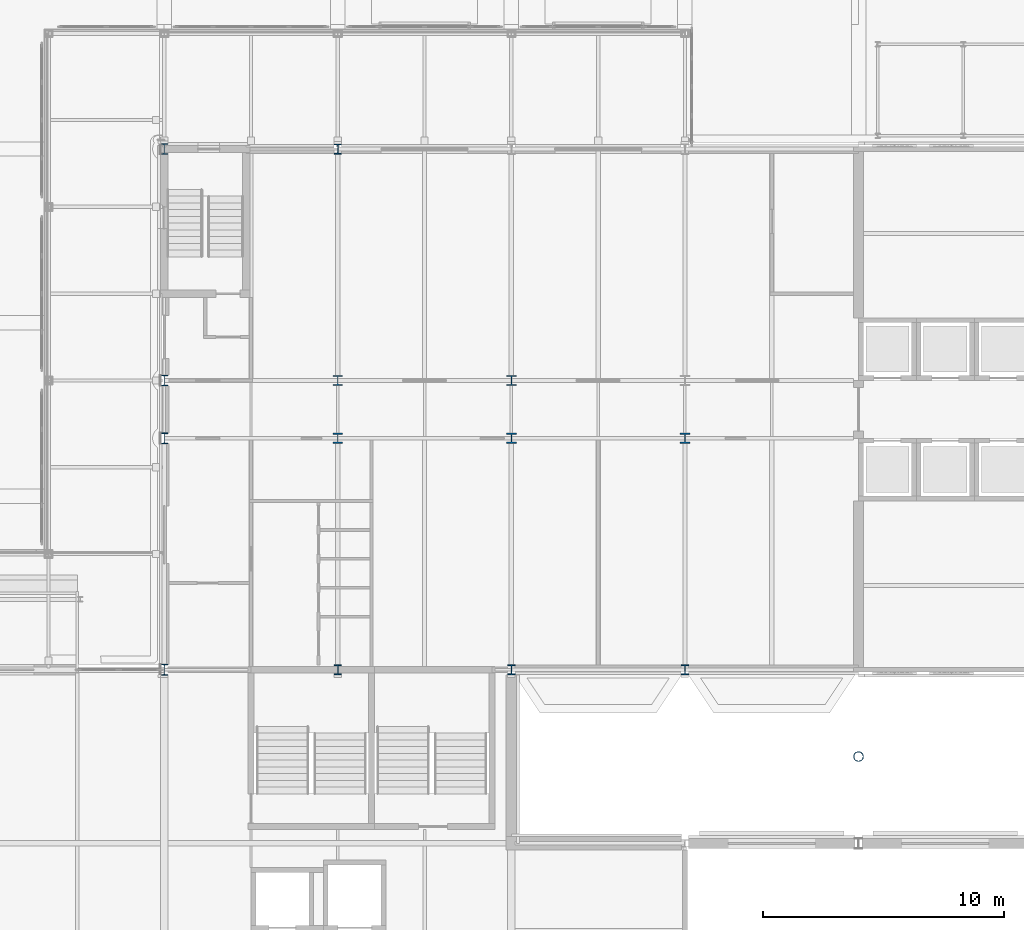
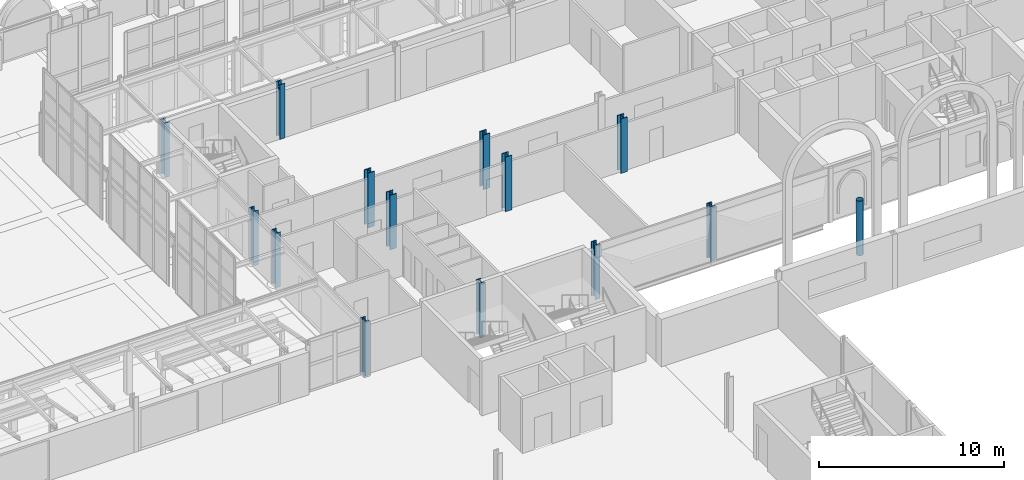
# One storey, part 14 of 143: 14 columns.
"""IFC4 building model written with IfcOpenShell, lengths in metres."""

from ifc_helpers import new_model, si_unit, direction, frame, origin, origin_2d, place, context, subcontext, project, spatial, hollow_circle, i_section, extrude, material, material_profile, profile_set, type_object, element, save


model = new_model("IFC4")

# Units and contexts
model_context = context("Model", 3, precision=1e-05, world=origin(), true_north=direction((0.0, 1.0)))
body_context = subcontext(model_context, "Body", "Model", "MODEL_VIEW")
ifc_project = project(units=[si_unit("LENGTHUNIT", "METRE"), si_unit("AREAUNIT", "SQUARE_METRE"), si_unit("VOLUMEUNIT", "CUBIC_METRE"), si_unit("PLANEANGLEUNIT", "RADIAN"), si_unit("MASSUNIT", "GRAM", prefix="KILO")], contexts=[model_context])

# Site, building, storey
site_placement = place(None, origin())
site = spatial("IfcSite", under=ifc_project, at=site_placement, CompositionType="ELEMENT")
building_placement = place(site_placement, origin())
building = spatial("IfcBuilding", under=site, at=building_placement, Name="Kupolbacken Congress Centre", CompositionType="ELEMENT")
storey_placement = place(building_placement, frame((0.0, 0.0, 7.199951171875)))
storey = spatial("IfcBuildingStorey", under=building, at=storey_placement, Name="L02", CompositionType="ELEMENT", Elevation=7.199951171875)

# Columns
ifc_material_1 = material(Name="Steel S355", Category="steel")
ifc_material_profile_1 = material_profile(ifc_material_1, i_section(OverallWidth=0.408935546875, OverallDepth=0.425048828125, WebThickness=0.03271484375, FlangeThickness=0.052490234375, FilletRadius=0.014892578125, at=origin_2d()), Name="HD 400 x 421")
ifc_profile_set_1 = profile_set([ifc_material_profile_1], Name="Steel S355")
column_type_1 = type_object("IfcColumnType", Name="C01 column HD 400 x 421", PredefinedType="COLUMN", material=ifc_profile_set_1)
for number, where, z_axis, x_axis, name in (
    (1, (72.0, 132.0, 0.0), (0.0, 0.0, 1.0), (1.0, 0.0, 0.0), "S/col/C-T-11U+2400/L02"),
    (2, (72.0, 134.39990234375, 0.0), (0.0, 0.0, 1.0), (1.0, 0.0, 0.0), "S/col/C-T-11U+4800/L02"),
    (3, (79.199951171875, 132.0, 0.0), (0.0, 0.0, 1.0), (1.0, 0.0, 0.0), "S/col/C-T-12U+2400/L02"),
    (4, (79.199951171875, 134.39990234375, 0.0), (0.0, 0.0, 1.0), (1.0, 0.0, 0.0), "S/col/C-T-12U+4800/L02"),
    (5, (86.39990234375, 132.0, 0.0), (0.0, 0.0, 1.0), (1.0, 0.0, 0.0), "S/col/C-T-13U+2400/L02"),
):
    element("IfcColumn", number, at=place(storey_placement, frame(where, z_axis=z_axis, x_axis=x_axis)), inside=storey, type_object=column_type_1, Name=name, PredefinedType="COLUMN", context=body_context, shape_type="SweptSolid", body=[
        extrude(i_section(OverallWidth=0.408935546875, OverallDepth=0.425048828125, WebThickness=0.03271484375, FlangeThickness=0.052490234375, FilletRadius=0.014892578125, at=origin_2d()), origin(), (0.0, 0.0, 1.0), 3.60009765625),
    ])
ifc_material_2 = material(Name="Steel S355", Category="steel")
ifc_material_profile_2 = material_profile(ifc_material_2, i_section(OverallWidth=0.306884765625, OverallDepth=0.431884765625, WebThickness=0.02099609375, FlangeThickness=0.0400390625, FilletRadius=0.027099609375, at=origin_2d()), Name="HEM 400")
ifc_profile_set_2 = profile_set([ifc_material_profile_2], Name="Steel S355")
column_type_2 = type_object("IfcColumnType", Name="C02 column HEM 400", PredefinedType="COLUMN", material=ifc_profile_set_2)
for number, where, z_axis, x_axis, name in (
    (6, (72.0, 122.39990234375, 0.0), (0.0, 0.0, 1.0), (1.0, 0.0, 0.0), "S/col/C-T-11T/L02"),
    (7, (72.0, 144.0, 0.0), (0.0, 0.0, 1.0), (1.0, 0.0, 0.0), "S/col/C-T-11W/L02"),
    (8, (79.199951171875, 122.39990234375, 0.0), (0.0, 0.0, 1.0), (1.0, 0.0, 0.0), "S/col/C-T-12T/L02"),
    (9, (86.39990234375, 122.39990234375, 0.0), (0.0, 0.0, 1.0), (1.0, 0.0, 0.0), "S/col/C-T-13T/L02"),
):
    element("IfcColumn", number, at=place(storey_placement, frame(where, z_axis=z_axis, x_axis=x_axis)), inside=storey, type_object=column_type_2, Name=name, PredefinedType="COLUMN", context=body_context, shape_type="SweptSolid", body=[
        extrude(i_section(OverallWidth=0.306884765625, OverallDepth=0.431884765625, WebThickness=0.02099609375, FlangeThickness=0.0400390625, FilletRadius=0.027099609375, at=origin_2d()), origin(), (0.0, 0.0, 1.0), 3.60009765625),
    ])
ifc_material_3 = material(Name="Steel S355", Category="steel")
ifc_material_profile_3 = material_profile(ifc_material_3, i_section(OverallWidth=0.300048828125, OverallDepth=0.449951171875, WebThickness=0.013916015625, FlangeThickness=0.02587890625, FilletRadius=0.027099609375, at=origin_2d()), Name="HEB 450")
ifc_profile_set_3 = profile_set([ifc_material_profile_3], Name="Steel S355")
column_type_3 = type_object("IfcColumnType", Name="C03 column HEB 450", PredefinedType="COLUMN", material=ifc_profile_set_3)
for number, where, z_axis, x_axis, name in (
    (10, (64.800048828125, 122.39990234375, 0.0), (0.0, 0.0, 1.0), (1.0, 0.0, 0.0), "S/col/C-T-10T/L02"),
    (11, (64.800048828125, 132.0, 0.0), (0.0, 0.0, 1.0), (1.0, 0.0, 0.0), "S/col/C-T-10U+2400/L02"),
    (12, (64.800048828125, 134.39990234375, 0.0), (0.0, 0.0, 1.0), (1.0, 0.0, 0.0), "S/col/C-T-10U+4800/L02"),
    (13, (64.800048828125, 144.0, 0.0), (0.0, 0.0, 1.0), (1.0, 0.0, 0.0), "S/col/C-T-10W/L02"),
):
    element("IfcColumn", number, at=place(storey_placement, frame(where, z_axis=z_axis, x_axis=x_axis)), inside=storey, type_object=column_type_3, Name=name, PredefinedType="COLUMN", context=body_context, shape_type="SweptSolid", body=[
        extrude(i_section(OverallWidth=0.300048828125, OverallDepth=0.449951171875, WebThickness=0.013916015625, FlangeThickness=0.02587890625, FilletRadius=0.027099609375, at=origin_2d()), origin(), (0.0, 0.0, 1.0), 3.60009765625),
    ])
ifc_material_4 = material(Name="Steel S355", Category="steel")
ifc_material_profile_4 = material_profile(ifc_material_4, hollow_circle(Radius=0.203125, WallThickness=0.01611328125, at=origin_2d()), Name="CHS 406.4 x 16")
ifc_profile_set_4 = profile_set([ifc_material_profile_4], Name="Steel S355")
column_type_4 = type_object("IfcColumnType", Name="C15 roof mast CHS 406.4 x 16", PredefinedType="COLUMN", material=ifc_profile_set_4)
column_placement = place(storey_placement, frame((93.60009765625, 118.800048828125, 0.0), z_axis=(0.0, 0.0, 1.0), x_axis=(1.0, 0.0, 0.0)))
element("IfcColumn", 14, at=column_placement, inside=storey, type_object=column_type_4, Name="Roof mast M1N", PredefinedType="COLUMN", context=body_context, shape_type="SweptSolid", body=[
    extrude(hollow_circle(Radius=0.203125, WallThickness=0.01611328125, at=origin_2d()), origin(), (0.0, 0.0, 1.0), 3.60009765625),
])

save(model, "model.ifc")
